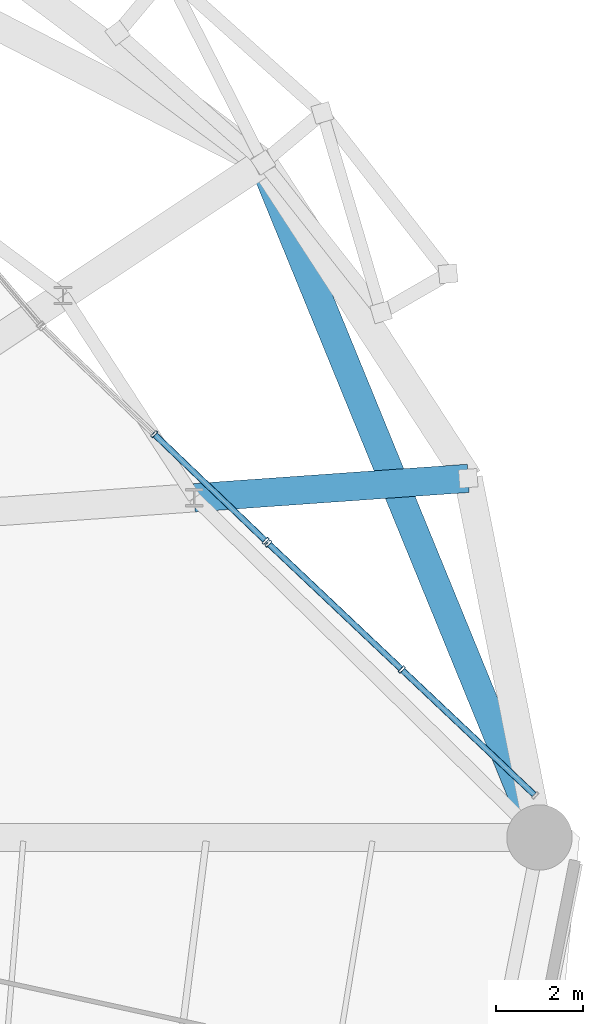
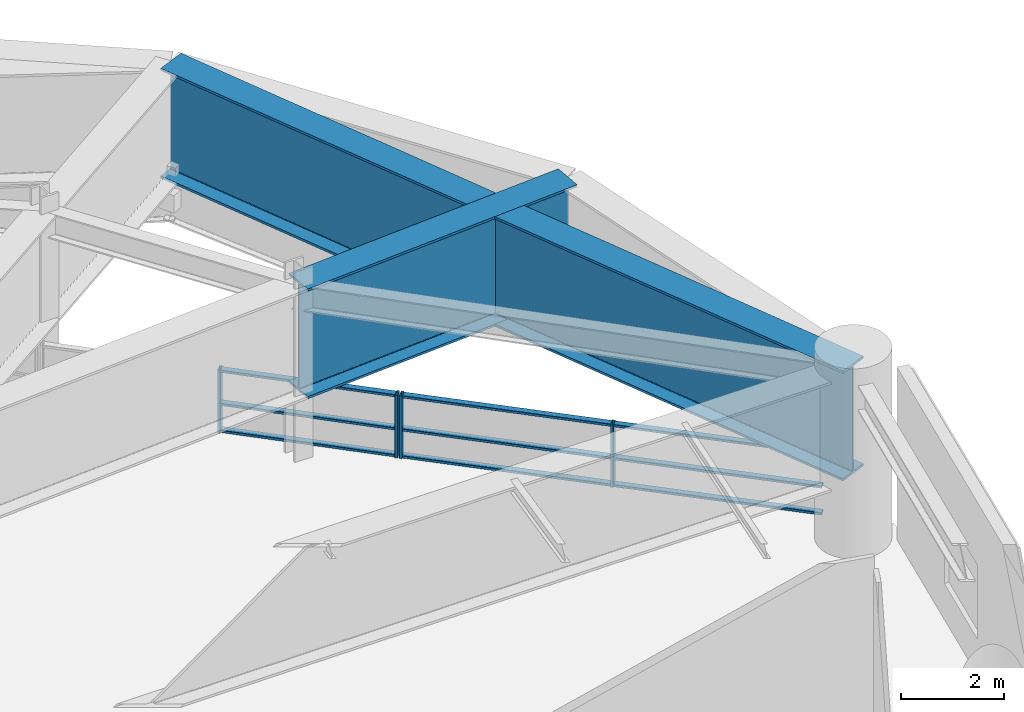
# One storey, part 24 of 52: 13 members, 2 beams, 2 elements without a shape of their own.
"""IFC4 building model written with IfcOpenShell, lengths in metres."""

from ifc_helpers import new_model, si_unit, direction, frame, origin, origin_2d, place, context, subcontext, project, spatial, hollow_rectangle, i_section, extrude, material, layer, layer_set, material_profile, profile_set, type_object, element, aggregate, save


model = new_model("IFC4")

# Units and contexts
model_context = context("Model", 3, precision=1e-05, world=origin(), true_north=direction((0.0, 1.0)))
body_context = subcontext(model_context, "Body", "Model", "MODEL_VIEW")
ifc_project = project(units=[si_unit("LENGTHUNIT", "METRE"), si_unit("AREAUNIT", "SQUARE_METRE"), si_unit("VOLUMEUNIT", "CUBIC_METRE"), si_unit("PLANEANGLEUNIT", "RADIAN"), si_unit("MASSUNIT", "GRAM", prefix="KILO")], contexts=[model_context])

# Site, building, storey
site_placement = place(None, origin())
site = spatial("IfcSite", under=ifc_project, at=site_placement, CompositionType="ELEMENT")
building_placement = place(site_placement, origin())
building = spatial("IfcBuilding", under=site, at=building_placement, Name="Kelanora Arch Commons", CompositionType="ELEMENT")
storey_placement = place(building_placement, frame((0.0, 0.0, 13.5)))
storey = spatial("IfcBuildingStorey", under=building, at=storey_placement, Name="L03", CompositionType="ELEMENT", Elevation=13.5)

# Beams
ifc_material_1 = material(Name="Steel S355", Category="steel")
ifc_material_profile_1 = material_profile(ifc_material_1, i_section(OverallWidth=0.64990234375, OverallDepth=2.60009765625, WebThickness=0.034912109375, FlangeThickness=0.054931640625, FilletRadius=0.028076171875, at=origin_2d()), Name="PG2600x650")
ifc_profile_set_1 = profile_set([ifc_material_profile_1], Name="Steel S355")
beam_type = type_object("IfcBeamType", Name="BM-XFER-ARCH", PredefinedType="USERDEFINED", material=ifc_profile_set_1)
beam_1_placement = place(storey_placement, frame((93.166015625, 65.791015625, 2.800048828125), z_axis=(0.997501619789, 0.070643602101, 0.0), x_axis=(-0.070643602101, 0.997501619789, 0.0)))
element("IfcBeam", 1, at=beam_1_placement, inside=storey, type_object=beam_type, Name="Radial Floor Girder BR-02 L03", ObjectType="TRANSFER_GIRDER", PredefinedType="USERDEFINED", context=body_context, shape_type="SweptSolid", body=[
    extrude(i_section(OverallWidth=0.64990234375, OverallDepth=2.60009765625, WebThickness=0.034912109375, FlangeThickness=0.054931640625, FilletRadius=0.028076171875, at=origin_2d()), origin(), (0.0, 0.0, 1.0), 6.296630859375),
])
beam_2_placement = place(storey_placement, frame((101.080078125, 58.0, 2.800048828125), z_axis=(-0.378820978336, 0.925469970541, 0.0), x_axis=(-0.925469970541, -0.378820978336, 0.0)))
element("IfcBeam", 2, at=beam_2_placement, inside=storey, type_object=beam_type, Name="Giant Arch Portal Crown Transfer Girder 1", ObjectType="TRANSFER_GIRDER", PredefinedType="USERDEFINED", context=body_context, shape_type="SweptSolid", body=[
    extrude(i_section(OverallWidth=0.64990234375, OverallDepth=2.60009765625, WebThickness=0.034912109375, FlangeThickness=0.054931640625, FilletRadius=0.028076171875, at=origin_2d()), origin(), (0.0, 0.0, 1.0), 16.724853515625),
])

# Curtain wall, members
ifc_material_2 = material(Name="Terracotta ceramic-fritted low-E glass and aluminium", Category="masonry")
ifc_layer = layer(ifc_material_2, 0.2099609375)
ifc_layer_set = layer_set([ifc_layer], Name="Terracotta ceramic-fritted low-E glass and aluminium")
curtain_wall_type = type_object("IfcCurtainWallType", Name="CW-SYS-04", PredefinedType="NOTDEFINED", material=ifc_layer_set)
curtain_wall_1_placement = place(storey_placement, origin())
curtain_wall_1 = element("IfcCurtainWall", 3, at=curtain_wall_1_placement, inside=storey, type_object=curtain_wall_type, Name="Unitised Curtain Wall L03-B00", PredefinedType="NOTDEFINED")
ifc_material_3 = material(Name="Powder-coated aluminium terracotta", Category="masonry")
ifc_material_profile_2 = material_profile(ifc_material_3, hollow_rectangle(XDim=0.179931640625, YDim=0.06005859375, WallThickness=0.0048828125, InnerFilletRadius=0.0048828125, OuterFilletRadius=0.010009765625, at=origin_2d()), Name="CWM180x60")
ifc_profile_set_2 = profile_set([ifc_material_profile_2], Name="Powder-coated aluminium terracotta")
member_type_1 = type_object("IfcMemberType", Name="CWM-HVY", PredefinedType="MULLION", material=ifc_profile_set_2)
member_1_placement = place(storey_placement, frame((97.923583984375, 61.850830078125, 0.0), z_axis=(0.0, 0.0, 1.0), x_axis=(-0.686720224308, -0.72692182078, 0.0)))
member_1 = element("IfcMember", 4, at=member_1_placement, type_object=member_type_1, Name="CW-04 mullion 2", PredefinedType="MULLION", context=body_context, shape_type="SweptSolid", body=[
    extrude(hollow_rectangle(XDim=0.179931640625, YDim=0.06005859375, WallThickness=0.0048828125, InnerFilletRadius=0.0048828125, OuterFilletRadius=0.010009765625, at=origin_2d()), origin(), (0.0, 0.0, 1.0), 1.47998046875),
])
member_2_placement = place(storey_placement, frame((94.8662109375, 64.739501953125, 0.0), z_axis=(0.0, 0.0, 1.0), x_axis=(-0.686720224308, -0.72692182078, 0.0)))
member_2 = element("IfcMember", 5, at=member_2_placement, type_object=member_type_1, Name="CW-04 mullion 3", PredefinedType="MULLION", context=body_context, shape_type="SweptSolid", body=[
    extrude(hollow_rectangle(XDim=0.179931640625, YDim=0.06005859375, WallThickness=0.0048828125, InnerFilletRadius=0.0048828125, OuterFilletRadius=0.010009765625, at=origin_2d()), origin(), (0.0, 0.0, 1.0), 1.47998046875),
])

curtain_wall_2_placement = place(storey_placement, origin())
curtain_wall_2 = element("IfcCurtainWall", 6, at=curtain_wall_2_placement, inside=storey, type_object=curtain_wall_type, Name="Unitised Curtain Wall L03-B01", PredefinedType="NOTDEFINED")
member_3_placement = place(storey_placement, frame((94.801025390625, 64.801513671875, 0.0), z_axis=(0.0, 0.0, 1.0), x_axis=(-0.691952518914, -0.721943011302, 0.0)))
member_3 = element("IfcMember", 7, at=member_3_placement, type_object=member_type_1, Name="CW-04 mullion 1", PredefinedType="MULLION", context=body_context, shape_type="SweptSolid", body=[
    extrude(hollow_rectangle(XDim=0.179931640625, YDim=0.06005859375, WallThickness=0.0048828125, InnerFilletRadius=0.0048828125, OuterFilletRadius=0.010009765625, at=origin_2d()), origin(), (0.0, 0.0, 1.0), 1.47998046875),
])
member_4_placement = place(storey_placement, frame((92.24560546875, 67.25048828125, 0.0), z_axis=(0.0, 0.0, 1.0), x_axis=(-0.691952518914, -0.721943011302, 0.0)))
member_4 = element("IfcMember", 8, at=member_4_placement, type_object=member_type_1, Name="CW-04 mullion 2", PredefinedType="MULLION", context=body_context, shape_type="SweptSolid", body=[
    extrude(hollow_rectangle(XDim=0.179931640625, YDim=0.06005859375, WallThickness=0.0048828125, InnerFilletRadius=0.0048828125, OuterFilletRadius=0.010009765625, at=origin_2d()), origin(), (0.0, 0.0, 1.0), 1.47998046875),
])

# Member
ifc_material_profile_3 = material_profile(ifc_material_3, hollow_rectangle(XDim=0.139892578125, YDim=0.06005859375, WallThickness=0.0048828125, InnerFilletRadius=0.0048828125, OuterFilletRadius=0.010009765625, at=origin_2d()), Name="CWT140x60")
ifc_profile_set_3 = profile_set([ifc_material_profile_3], Name="Powder-coated aluminium terracotta")
member_type_2 = type_object("IfcMemberType", Name="CWT-HVY", PredefinedType="USERDEFINED", material=ifc_profile_set_3)
member_5_placement = place(storey_placement, frame((100.95947265625, 58.983154296875, 0.030029296875), z_axis=(-0.726929863496, 0.68671171066, 0.0), x_axis=(-0.68671171066, -0.726929863496, 0.0)))
member_5 = element("IfcMember", 9, at=member_5_placement, type_object=member_type_2, Name="CW-04 transom 1.1", ObjectType="TRANSOM", PredefinedType="USERDEFINED", context=body_context, shape_type="SweptSolid", body=[
    extrude(hollow_rectangle(XDim=0.139892578125, YDim=0.06005859375, WallThickness=0.0048828125, InnerFilletRadius=0.0048828125, OuterFilletRadius=0.010009765625, at=origin_2d()), origin(), (0.0, 0.0, 1.0), 4.14599609375),
])

member_6_placement = place(storey_placement, frame((100.95947265625, 58.983154296875, 0.666015625), z_axis=(-0.726929863496, 0.68671171066, 0.0), x_axis=(-0.68671171066, -0.726929863496, 0.0)))
member_6 = element("IfcMember", 10, at=member_6_placement, type_object=member_type_2, Name="CW-04 transom 1.2", ObjectType="TRANSOM", PredefinedType="USERDEFINED", context=body_context, shape_type="SweptSolid", body=[
    extrude(hollow_rectangle(XDim=0.139892578125, YDim=0.06005859375, WallThickness=0.0048828125, InnerFilletRadius=0.0048828125, OuterFilletRadius=0.010009765625, at=origin_2d()), origin(), (0.0, 0.0, 1.0), 4.14599609375),
])

member_7_placement = place(storey_placement, frame((100.95947265625, 58.983154296875, 1.449951171875), z_axis=(-0.726929863496, 0.68671171066, 0.0), x_axis=(-0.68671171066, -0.726929863496, 0.0)))
member_7 = element("IfcMember", 11, at=member_7_placement, type_object=member_type_2, Name="CW-04 transom 1.3", ObjectType="TRANSOM", PredefinedType="USERDEFINED", context=body_context, shape_type="SweptSolid", body=[
    extrude(hollow_rectangle(XDim=0.139892578125, YDim=0.06005859375, WallThickness=0.0048828125, InnerFilletRadius=0.0048828125, OuterFilletRadius=0.010009765625, at=origin_2d()), origin(), (0.0, 0.0, 1.0), 4.14599609375),
])

member_8_placement = place(storey_placement, frame((97.90185546875, 61.87158203125, 0.030029296875), z_axis=(-0.726929863496, 0.68671171066, 0.0), x_axis=(-0.68671171066, -0.726929863496, 0.0)))
member_8 = element("IfcMember", 12, at=member_8_placement, type_object=member_type_2, Name="CW-04 transom 2.1", ObjectType="TRANSOM", PredefinedType="USERDEFINED", context=body_context, shape_type="SweptSolid", body=[
    extrude(hollow_rectangle(XDim=0.139892578125, YDim=0.06005859375, WallThickness=0.0048828125, InnerFilletRadius=0.0048828125, OuterFilletRadius=0.010009765625, at=origin_2d()), origin(), (0.0, 0.0, 1.0), 4.14599609375),
])

member_9_placement = place(storey_placement, frame((97.90185546875, 61.87158203125, 0.666015625), z_axis=(-0.726929863496, 0.68671171066, 0.0), x_axis=(-0.68671171066, -0.726929863496, 0.0)))
member_9 = element("IfcMember", 13, at=member_9_placement, type_object=member_type_2, Name="CW-04 transom 2.2", ObjectType="TRANSOM", PredefinedType="USERDEFINED", context=body_context, shape_type="SweptSolid", body=[
    extrude(hollow_rectangle(XDim=0.139892578125, YDim=0.06005859375, WallThickness=0.0048828125, InnerFilletRadius=0.0048828125, OuterFilletRadius=0.010009765625, at=origin_2d()), origin(), (0.0, 0.0, 1.0), 4.14599609375),
])

member_10_placement = place(storey_placement, frame((97.90185546875, 61.87158203125, 1.449951171875), z_axis=(-0.726929863496, 0.68671171066, 0.0), x_axis=(-0.68671171066, -0.726929863496, 0.0)))
member_10 = element("IfcMember", 14, at=member_10_placement, type_object=member_type_2, Name="CW-04 transom 2.3", ObjectType="TRANSOM", PredefinedType="USERDEFINED", context=body_context, shape_type="SweptSolid", body=[
    extrude(hollow_rectangle(XDim=0.139892578125, YDim=0.06005859375, WallThickness=0.0048828125, InnerFilletRadius=0.0048828125, OuterFilletRadius=0.010009765625, at=origin_2d()), origin(), (0.0, 0.0, 1.0), 4.14599609375),
])

aggregate(curtain_wall_1, [member_1, member_2, member_5, member_6, member_7, member_8, member_9, member_10])

member_11_placement = place(storey_placement, frame((94.779296875, 64.822265625, 0.030029296875), z_axis=(-0.721963375808, 0.691931271148, 0.0), x_axis=(-0.691931271148, -0.721963375808, 0.0)))
member_11 = element("IfcMember", 15, at=member_11_placement, type_object=member_type_2, Name="CW-04 transom 1.1", ObjectType="TRANSOM", PredefinedType="USERDEFINED", context=body_context, shape_type="SweptSolid", body=[
    extrude(hollow_rectangle(XDim=0.139892578125, YDim=0.06005859375, WallThickness=0.0048828125, InnerFilletRadius=0.0048828125, OuterFilletRadius=0.010009765625, at=origin_2d()), origin(), (0.0, 0.0, 1.0), 3.479248046875),
])

member_12_placement = place(storey_placement, frame((94.779296875, 64.822265625, 0.666015625), z_axis=(-0.721963375808, 0.691931271148, 0.0), x_axis=(-0.691931271148, -0.721963375808, 0.0)))
member_12 = element("IfcMember", 16, at=member_12_placement, type_object=member_type_2, Name="CW-04 transom 1.2", ObjectType="TRANSOM", PredefinedType="USERDEFINED", context=body_context, shape_type="SweptSolid", body=[
    extrude(hollow_rectangle(XDim=0.139892578125, YDim=0.06005859375, WallThickness=0.0048828125, InnerFilletRadius=0.0048828125, OuterFilletRadius=0.010009765625, at=origin_2d()), origin(), (0.0, 0.0, 1.0), 3.479248046875),
])

member_13_placement = place(storey_placement, frame((94.779296875, 64.822265625, 1.449951171875), z_axis=(-0.721963375808, 0.691931271148, 0.0), x_axis=(-0.691931271148, -0.721963375808, 0.0)))
member_13 = element("IfcMember", 17, at=member_13_placement, type_object=member_type_2, Name="CW-04 transom 1.3", ObjectType="TRANSOM", PredefinedType="USERDEFINED", context=body_context, shape_type="SweptSolid", body=[
    extrude(hollow_rectangle(XDim=0.139892578125, YDim=0.06005859375, WallThickness=0.0048828125, InnerFilletRadius=0.0048828125, OuterFilletRadius=0.010009765625, at=origin_2d()), origin(), (0.0, 0.0, 1.0), 3.479248046875),
])

aggregate(curtain_wall_2, [member_3, member_4, member_11, member_12, member_13])

save(model, "model.ifc")
